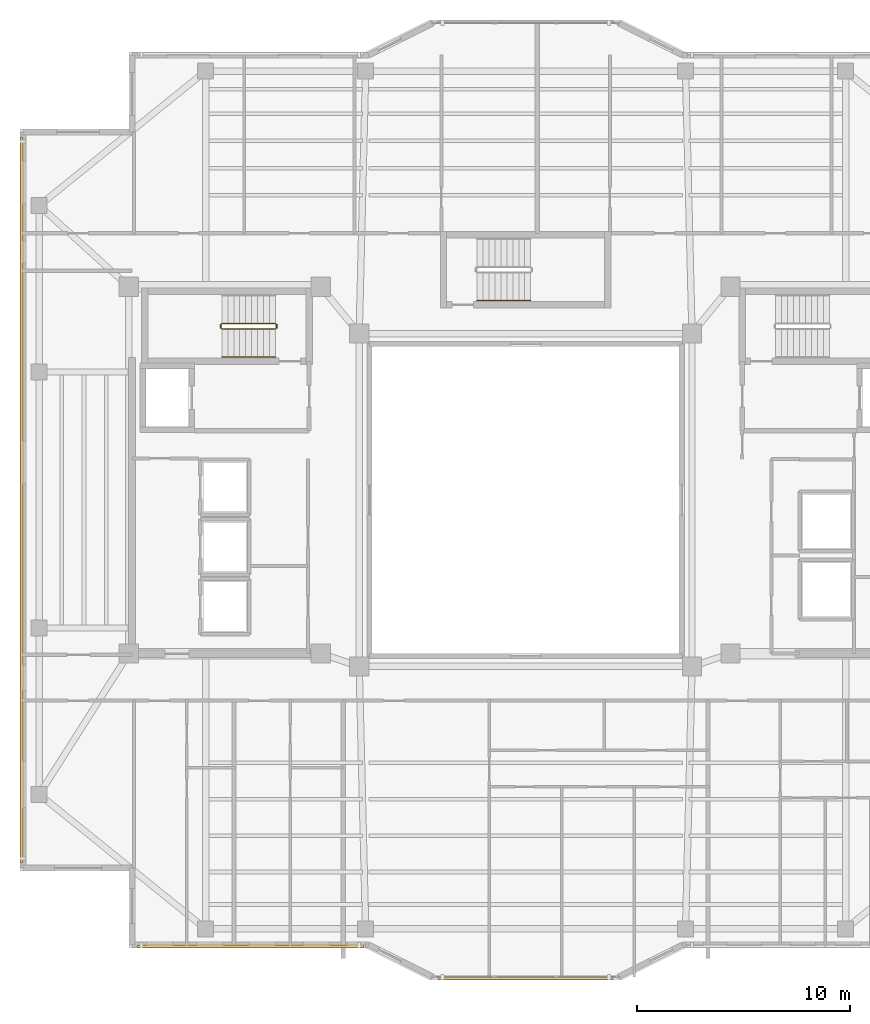
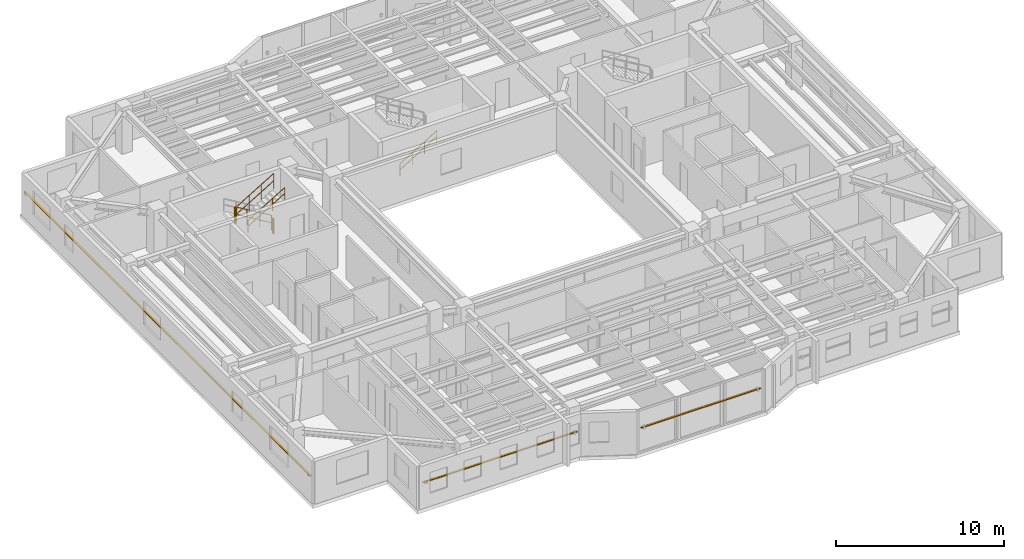
# One storey, part 12 of 14: 6 railings, 3 shading devices.
"""IFC4 building model written with IfcOpenShell, lengths in metres."""

import ifcopenshell
import ifcopenshell.guid

model = None  # the IFC model being written
_history = None  # IfcOwnerHistory: only IFC2X3 demands one
_inside = {}  # id of a spatial element -> (the spatial element, [elements in it])
_under = {}  # id of a project, library or spatial element -> (it, [spatial elements below it])
_declared = {}  # id of a project -> (the project, [libraries it declares])
_typed = {}  # id of a type object -> (the type object, [elements of that type])
_made_of = {}  # id of a material, layer set ... -> (it, [elements and type objects made of it])


def new_model(schema):
    """Start an empty IFC model of exactly this schema.

    Asked for "IFC4X3", IfcOpenShell would pick the latest addendum, in which some entities
    have other attributes; the version numbers below select the first issue.
    IFC2X3 requires an IfcOwnerHistory on every rooted entity: one is made here for all.
    """
    global model, _history
    if schema == "IFC4X3":
        model = ifcopenshell.file(schema_version=(4, 3, 0, 0))
    else:
        model = ifcopenshell.file(schema=schema)
    _inside.clear()
    _under.clear()
    _declared.clear()
    _typed.clear()
    _made_of.clear()
    _history = None
    if model.schema == "IFC2X3":
        org = make("IfcOrganization", Name="unknown")
        user = make(
            "IfcPersonAndOrganization",
            ThePerson=make("IfcPerson", FamilyName="unknown"),
            TheOrganization=org,
        )
        app = make(
            "IfcApplication",
            ApplicationDeveloper=org,
            Version="unknown",
            ApplicationFullName="unknown",
            ApplicationIdentifier="unknown",
        )
        _history = make(
            "IfcOwnerHistory",
            OwningUser=user,
            OwningApplication=app,
            ChangeAction="ADDED",
            CreationDate=0,
        )
    return model


def make(cls, **values):
    """One entity of the class cls with the attributes given. An attribute that is None is left unset."""
    return model.create_entity(
        cls, **{name: value for name, value in values.items() if value is not None}
    )


def rooted(cls, **values):
    """An entity with a GlobalId (a new one), such as an element, a storey or a relation."""
    return make(cls, GlobalId=ifcopenshell.guid.new(), OwnerHistory=_history, **values)


def si_unit(unit_type, name, prefix=None):
    """IfcSIUnit, for example si_unit("LENGTHUNIT", "METRE", prefix="MILLI")."""
    return make("IfcSIUnit", UnitType=unit_type, Prefix=prefix, Name=name)


def assignment(units):
    """IfcUnitAssignment: the units of a project."""
    return None if units is None else make("IfcUnitAssignment", Units=units)


def point(xyz):
    """IfcCartesianPoint."""
    return None if xyz is None else make("IfcCartesianPoint", Coordinates=xyz)


def direction(xyz):
    """IfcDirection."""
    return None if xyz is None else make("IfcDirection", DirectionRatios=xyz)


def frame(location, z_axis=None, x_axis=None):
    """IfcAxis2Placement3D, a coordinate frame: its origin and axes. An axis left out is left unset."""
    return make(
        "IfcAxis2Placement3D",
        Location=point(location),
        Axis=direction(z_axis),
        RefDirection=direction(x_axis),
    )


def frame_2d(location, x_axis=None):
    """IfcAxis2Placement2D, a coordinate frame in the plane: its origin and x axis."""
    return make(
        "IfcAxis2Placement2D", Location=point(location), RefDirection=direction(x_axis)
    )


def origin():
    """The frame at (0, 0, 0) with its axes left unset."""
    return frame((0.0, 0.0, 0.0))


def origin_2d():
    """The frame at (0, 0) in the plane with its x axis left unset."""
    return frame_2d((0.0, 0.0))


def place(relative_to, where):
    """IfcLocalPlacement: puts the frame where relative to a parent placement (None: the world)."""
    return make(
        "IfcLocalPlacement", PlacementRelTo=relative_to, RelativePlacement=where
    )


def context(
    kind, dimensions, precision=None, world=None, true_north=None, identifier=None
):
    """IfcGeometricRepresentationContext, for example the 3D "Model" context."""
    return make(
        "IfcGeometricRepresentationContext",
        ContextIdentifier=identifier,
        ContextType=kind,
        CoordinateSpaceDimension=dimensions,
        Precision=precision,
        WorldCoordinateSystem=world,
        TrueNorth=true_north,
    )


def subcontext(parent, identifier, kind, view, scale=None):
    """IfcGeometricRepresentationSubContext, for example "Body" below "Model"."""
    return make(
        "IfcGeometricRepresentationSubContext",
        ContextIdentifier=identifier,
        ContextType=kind,
        ParentContext=parent,
        TargetScale=scale,
        TargetView=view,
    )


def project(units=None, contexts=None):
    """IfcProject with its units and contexts."""
    return rooted(
        "IfcProject",
        Name="project",
        RepresentationContexts=contexts,
        UnitsInContext=assignment(units),
    )


def spatial(cls, under=None, at=None, **own):
    """A site, building, storey or space (cls), placed at a placement, below another one or the project."""
    s = rooted(cls, ObjectPlacement=at, **own)
    if under is not None:
        _under.setdefault(under.id(), (under, []))[1].append(s)
    return s


def profile(cls, at=None, kind="AREA", **sizes):
    """A parametric profile (cls). Its sizes go by their IFC names, for example OverallWidth=200.0."""
    return make(cls, ProfileType=kind, Position=at, **sizes)


def rectangle(**sizes):
    """IfcRectangleProfileDef."""
    return profile("IfcRectangleProfileDef", **sizes)


def circle(**sizes):
    """IfcCircleProfileDef."""
    return profile("IfcCircleProfileDef", **sizes)


def extrude(swept, where, along, depth):
    """IfcExtrudedAreaSolid: the profile swept, set in the frame where, extruded along a direction by depth."""
    return make(
        "IfcExtrudedAreaSolid",
        SweptArea=swept,
        Position=where,
        ExtrudedDirection=direction(along),
        Depth=depth,
    )


def shape(context_of_items, identifier, shape_type, items):
    """IfcShapeRepresentation: the items that make up one representation, for example the "Body"."""
    return make(
        "IfcShapeRepresentation",
        ContextOfItems=context_of_items,
        RepresentationIdentifier=identifier,
        RepresentationType=shape_type,
        Items=items,
    )


def material(Name=None, Category=None):
    """IfcMaterial."""
    return make("IfcMaterial", Name=Name, Category=Category)


def material_profile(
    of_material, cross_section, Name=None, Category=None, Priority=None
):
    """IfcMaterialProfile: a cross section and its material."""
    return make(
        "IfcMaterialProfile",
        Name=Name,
        Material=of_material,
        Profile=cross_section,
        Priority=Priority,
        Category=Category,
    )


def profile_set(profiles, Name=None, composite=None):
    """IfcMaterialProfileSet."""
    return make(
        "IfcMaterialProfileSet",
        Name=Name,
        MaterialProfiles=profiles,
        CompositeProfile=composite,
    )


def made_of(thing, what):
    """Note that an element or type object is made of a material, layer set ...; save() writes the relation."""
    if what is not None:
        _made_of.setdefault(what.id(), (what, []))[1].append(thing)
    return thing


def type_object(cls, material=None, **own):
    """A type object (cls), such as IfcWallType, which elements share."""
    return made_of(rooted(cls, **own), material)


def element(
    cls,
    number,
    at=None,
    inside=None,
    cuts=None,
    type_object=None,
    material=None,
    context=None,
    identifier="Body",
    shape_type=None,
    held_by="IfcProductDefinitionShape",
    body=None,
    shapes=None,
    **own,
):
    """One element of the class cls, such as IfcWall. Its Tag is "e" and its number.

    at: its placement. inside: the storey or other place that contains it. cuts: it is an
    opening in that element (IfcRelVoidsElement). A single representation is given by context,
    identifier, shape_type and body (its items); several are given by shapes. held_by: the class
    of the entity that holds the representations. save() writes the other relations.
    """
    e = rooted(cls, Tag="e%d" % number, ObjectPlacement=at, **own)
    if body is not None:
        shapes = [shape(context, identifier, shape_type, body)]
    if shapes is not None:
        e.Representation = make(held_by, Representations=shapes)
    if inside is not None:
        _inside.setdefault(inside.id(), (inside, []))[1].append(e)
    if cuts is not None:
        rooted(
            "IfcRelVoidsElement", RelatingBuildingElement=cuts, RelatedOpeningElement=e
        )
    if type_object is not None:
        _typed.setdefault(type_object.id(), (type_object, []))[1].append(e)
    return made_of(e, material)


def aggregate(whole, parts):
    """IfcRelAggregates: a whole, such as a stair, and the parts it consists of."""
    return rooted("IfcRelAggregates", RelatingObject=whole, RelatedObjects=parts)


def save(model, path):
    """Write the relations noted so far, then the file.

    IfcRelAggregates (storeys below a building ...), IfcRelContainedInSpatialStructure (elements
    in a storey), IfcRelDefinesByType, IfcRelAssociatesMaterial and IfcRelDeclares: one each for
    every whole, place, type object, material and project.
    """
    for whole, parts in _under.values():
        aggregate(whole, parts)
    for where, things in _inside.values():
        rooted(
            "IfcRelContainedInSpatialStructure",
            RelatedElements=things,
            RelatingStructure=where,
        )
    for kind, things in _typed.values():
        rooted("IfcRelDefinesByType", RelatedObjects=things, RelatingType=kind)
    for what, things in _made_of.values():
        rooted("IfcRelAssociatesMaterial", RelatedObjects=things, RelatingMaterial=what)
    for by, libraries in _declared.values():
        rooted("IfcRelDeclares", RelatingContext=by, RelatedDefinitions=libraries)
    model.write(path)


model = new_model("IFC4")

# Units and contexts
model_context = context("Model", 3, precision=1e-05, world=origin(), true_north=direction((0.0, 1.0)))
body_context = subcontext(model_context, "Body", "Model", "MODEL_VIEW")
ifc_project = project(units=[si_unit("LENGTHUNIT", "METRE"), si_unit("AREAUNIT", "SQUARE_METRE"), si_unit("VOLUMEUNIT", "CUBIC_METRE"), si_unit("PLANEANGLEUNIT", "RADIAN"), si_unit("MASSUNIT", "GRAM", prefix="KILO")], contexts=[model_context])

# Site, building, storey
site_placement = place(None, origin())
site = spatial("IfcSite", under=ifc_project, at=site_placement, CompositionType="ELEMENT")
building_placement = place(site_placement, origin())
building = spatial("IfcBuilding", under=site, at=building_placement, Name="Tarnavaz Court Tower", CompositionType="ELEMENT")
storey_placement = place(building_placement, frame((0.0, 0.0, 190.25)))
storey = spatial("IfcBuildingStorey", under=building, at=storey_placement, Name="L51", CompositionType="ELEMENT", Elevation=190.25)

# Railings
ifc_material_1 = material(Name="Brushed Stainless Steel", Category="steel")
railing_type_1 = type_object("IfcRailingType", Name="RL-HANDRAIL-900", PredefinedType="HANDRAIL", material=ifc_material_1)
for number, where, name in (
    (1, (-14.239990234375, 6.699951171875, 1.842529296875), "L51 ST-W1 stair handrail 2"),
    (2, (-2.280029296875, 9.35009765625, 0.16748046875), "L51 ST-N1 stair handrail 1"),
):
    element("IfcRailing", number, at=place(storey_placement, frame(where)), inside=storey, type_object=railing_type_1, Name=name, PredefinedType="HANDRAIL", context=body_context, shape_type="SweptSolid", body=[
        extrude(circle(Radius=0.02392578125, at=origin_2d()), frame((0.0, 0.0, 0.8759765625), z_axis=(0.858159760407, 0.0, 0.513382728203), x_axis=(0.0, 1.0, 0.0)), (0.0, 0.0, 1.0), 2.9365234375),
        extrude(circle(Radius=0.02392578125, at=origin_2d()), frame((0.0, 0.0, 0.449951171875), z_axis=(0.858159760407, 0.0, 0.513382728203), x_axis=(0.0, 1.0, 0.0)), (0.0, 0.0, 1.0), 2.9365234375),
        extrude(circle(Radius=0.02099609375, at=origin_2d()), origin(), (0.0, 0.0, 1.0), 0.851806640625),
        extrude(circle(Radius=0.02099609375, at=origin_2d()), frame((0.840087890625, 0.0, 0.50244140625)), (0.0, 0.0, 1.0), 0.851806640625),
        extrude(circle(Radius=0.02099609375, at=origin_2d()), frame((1.679931640625, 0.0, 1.005126953125)), (0.0, 0.0, 1.0), 0.851806640625),
        extrude(circle(Radius=0.02099609375, at=origin_2d()), frame((2.52001953125, 0.0, 1.507568359375)), (0.0, 0.0, 1.0), 0.851806640625),
    ])
ifc_material_2 = material(Name="Galvanized Painted Tubular Steel", Category="steel")
railing_type_2 = type_object("IfcRailingType", Name="RL-STGUARD-1120", PredefinedType="GUARDRAIL", material=ifc_material_2)
railing_1_placement = place(storey_placement, frame((-11.719970703125, 8.27001953125, 0.16748046875)))
element("IfcRailing", 3, at=railing_1_placement, inside=storey, type_object=railing_type_2, Name="L51 ST-W1 stair guard 1", PredefinedType="GUARDRAIL", context=body_context, shape_type="SweptSolid", body=[
    extrude(circle(Radius=0.02392578125, at=origin_2d()), frame((0.0, 0.0, 1.09619140625), z_axis=(-0.858159760407, 0.0, 0.513382728203), x_axis=(0.0, -1.0, 0.0)), (0.0, 0.0, 1.0), 2.9365234375),
    extrude(circle(Radius=0.02392578125, at=origin_2d()), frame((0.0, 0.0, 0.56005859375), z_axis=(-0.858159760407, 0.0, 0.513382728203), x_axis=(0.0, -1.0, 0.0)), (0.0, 0.0, 1.0), 2.9365234375),
    extrude(circle(Radius=0.02099609375, at=origin_2d()), origin(), (0.0, 0.0, 1.0), 1.072021484375),
    extrude(circle(Radius=0.02099609375, at=origin_2d()), frame((-0.840087890625, 0.0, 0.50244140625)), (0.0, 0.0, 1.0), 1.072021484375),
    extrude(circle(Radius=0.02099609375, at=origin_2d()), frame((-1.679931640625, 0.0, 1.005126953125)), (0.0, 0.0, 1.0), 1.072021484375),
    extrude(circle(Radius=0.02099609375, at=origin_2d()), frame((-2.52001953125, 0.0, 1.507568359375)), (0.0, 0.0, 1.0), 1.072021484375),
])
railing_2_placement = place(storey_placement, frame((-14.2900390625, 8.219970703125, 1.675048828125)))
element("IfcRailing", 4, at=railing_2_placement, inside=storey, type_object=railing_type_2, Name="L51 ST-W1 stair guard 2", PredefinedType="GUARDRAIL", context=body_context, shape_type="SweptSolid", body=[
    extrude(circle(Radius=0.02392578125, at=origin_2d()), frame((0.0, 0.0, 1.09619140625), z_axis=(0.0, -1.0, 0.0), x_axis=(1.0, 0.0, 0.0)), (0.0, 0.0, 1.0), 0.14990234375),
    extrude(circle(Radius=0.02392578125, at=origin_2d()), frame((0.0, 0.0, 0.56005859375), z_axis=(0.0, -1.0, 0.0), x_axis=(1.0, 0.0, 0.0)), (0.0, 0.0, 1.0), 0.14990234375),
    extrude(circle(Radius=0.02099609375, at=origin_2d()), origin(), (0.0, 0.0, 1.0), 1.072021484375),
    extrude(circle(Radius=0.02099609375, at=origin_2d()), frame((0.0, -0.14990234375, 0.0)), (0.0, 0.0, 1.0), 1.072021484375),
])
railing_3_placement = place(storey_placement, frame((-14.239990234375, 8.02001953125, 1.842529296875)))
element("IfcRailing", 5, at=railing_3_placement, inside=storey, type_object=railing_type_2, Name="L51 ST-W1 stair guard 3", PredefinedType="GUARDRAIL", context=body_context, shape_type="SweptSolid", body=[
    extrude(circle(Radius=0.02392578125, at=origin_2d()), frame((0.0, 0.0, 1.09619140625), z_axis=(0.858159760407, 0.0, 0.513382728203), x_axis=(0.0, 1.0, 0.0)), (0.0, 0.0, 1.0), 2.9365234375),
    extrude(circle(Radius=0.02392578125, at=origin_2d()), frame((0.0, 0.0, 0.56005859375), z_axis=(0.858159760407, 0.0, 0.513382728203), x_axis=(0.0, 1.0, 0.0)), (0.0, 0.0, 1.0), 2.9365234375),
    extrude(circle(Radius=0.02099609375, at=origin_2d()), origin(), (0.0, 0.0, 1.0), 1.072021484375),
    extrude(circle(Radius=0.02099609375, at=origin_2d()), frame((0.840087890625, 0.0, 0.50244140625)), (0.0, 0.0, 1.0), 1.072021484375),
    extrude(circle(Radius=0.02099609375, at=origin_2d()), frame((1.679931640625, 0.0, 1.005126953125)), (0.0, 0.0, 1.0), 1.072021484375),
    extrude(circle(Radius=0.02099609375, at=origin_2d()), frame((2.52001953125, 0.0, 1.507568359375)), (0.0, 0.0, 1.0), 1.072021484375),
])
railing_4_placement = place(storey_placement, frame((-11.669921875, 8.219970703125, 0.0)))
element("IfcRailing", 6, at=railing_4_placement, inside=storey, type_object=railing_type_2, Name="L51 ST-W1 stair guard 4", PredefinedType="GUARDRAIL", context=body_context, shape_type="SweptSolid", body=[
    extrude(circle(Radius=0.02392578125, at=origin_2d()), frame((0.0, 0.0, 1.09619140625), z_axis=(0.0, -1.0, 0.0), x_axis=(1.0, 0.0, 0.0)), (0.0, 0.0, 1.0), 0.14990234375),
    extrude(circle(Radius=0.02392578125, at=origin_2d()), frame((0.0, 0.0, 0.56005859375), z_axis=(0.0, -1.0, 0.0), x_axis=(1.0, 0.0, 0.0)), (0.0, 0.0, 1.0), 0.14990234375),
    extrude(circle(Radius=0.02099609375, at=origin_2d()), origin(), (0.0, 0.0, 1.0), 1.072021484375),
    extrude(circle(Radius=0.02099609375, at=origin_2d()), frame((0.0, -0.14990234375, 0.0)), (0.0, 0.0, 1.0), 1.072021484375),
])

# Shading devices
ifc_material_3 = material(Name="Kiln-Fired Khorasan Terracotta Ceramic", Category="masonry")
ifc_material_profile = material_profile(ifc_material_3, rectangle(XDim=0.1201171875, YDim=0.06005859375, at=origin_2d()), Name="TC BAGUETTE 120X60")
ifc_profile_set = profile_set([ifc_material_profile], Name="Kiln-Fired Khorasan Terracotta Ceramic")
shading_device_type = type_object("IfcShadingDeviceType", Name="SD-BAG-120", PredefinedType="USERDEFINED", material=ifc_profile_set)
shading_device_1_placement = place(storey_placement, frame((-23.610107421875, -17.0, 1.85009765625), z_axis=(0.0, 1.0, 0.0), x_axis=(-1.0, 0.0, 0.0)))
element("IfcShadingDevice", 7, at=shading_device_1_placement, inside=storey, type_object=shading_device_type, Name="L51 Terracotta Baguette Screen FBG02", ObjectType="BAGUETTE", PredefinedType="USERDEFINED", context=body_context, shape_type="SweptSolid", body=[
    extrude(rectangle(XDim=0.1201171875, YDim=0.06005859375, at=origin_2d()), origin(), (0.0, 0.0, 1.0), 34.0),
])
shading_device_2_placement = place(storey_placement, frame((4.10009765625, -22.409912109375, 1.800048828125), z_axis=(-1.0, 0.0, 0.0), x_axis=(0.0, -1.0, 0.0)))
element("IfcShadingDevice", 8, at=shading_device_2_placement, inside=storey, type_object=shading_device_type, Name="L51 Terracotta Baguette Screen PBG17", ObjectType="BAGUETTE", PredefinedType="USERDEFINED", context=body_context, shape_type="SweptSolid", body=[
    extrude(rectangle(XDim=0.1201171875, YDim=0.06005859375, at=origin_2d()), origin(), (0.0, 0.0, 1.0), 8.2001953125),
])
shading_device_3_placement = place(storey_placement, frame((-7.60009765625, -20.909912109375, 1.85009765625), z_axis=(-1.0, 0.0, 0.0), x_axis=(0.0, -1.0, 0.0)))
element("IfcShadingDevice", 9, at=shading_device_3_placement, inside=storey, type_object=shading_device_type, Name="L51 Terracotta Baguette Screen FBG19", ObjectType="BAGUETTE", PredefinedType="USERDEFINED", context=body_context, shape_type="SweptSolid", body=[
    extrude(rectangle(XDim=0.1201171875, YDim=0.06005859375, at=origin_2d()), origin(), (0.0, 0.0, 1.0), 10.599853515625),
])

save(model, "model.ifc")
